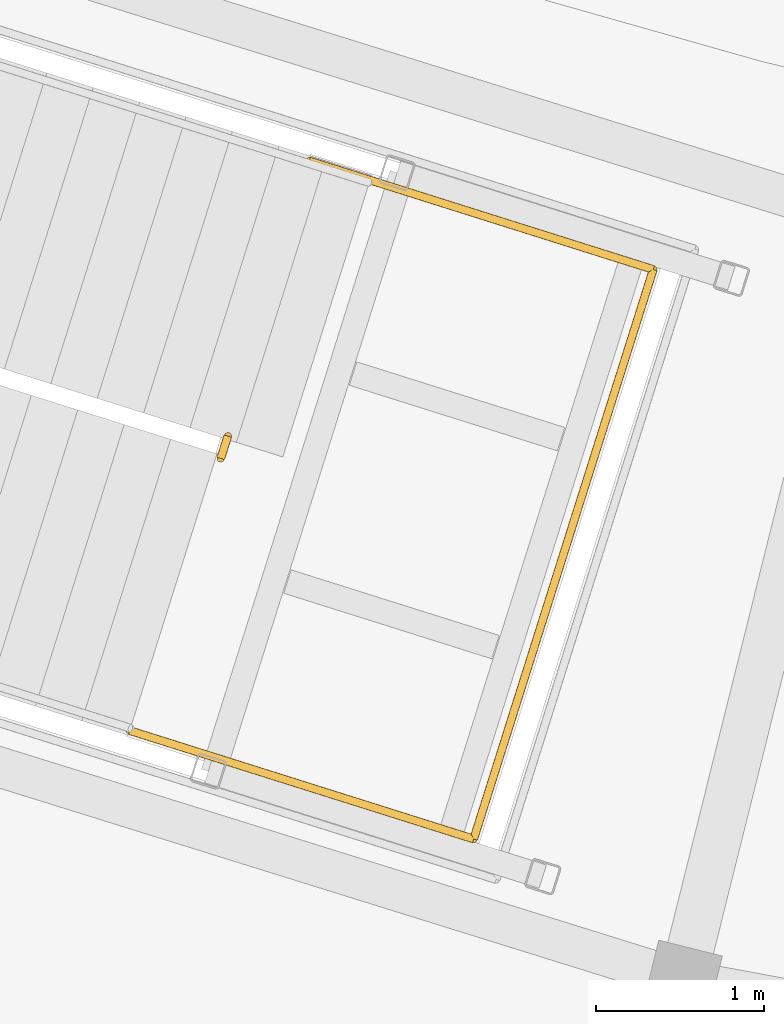
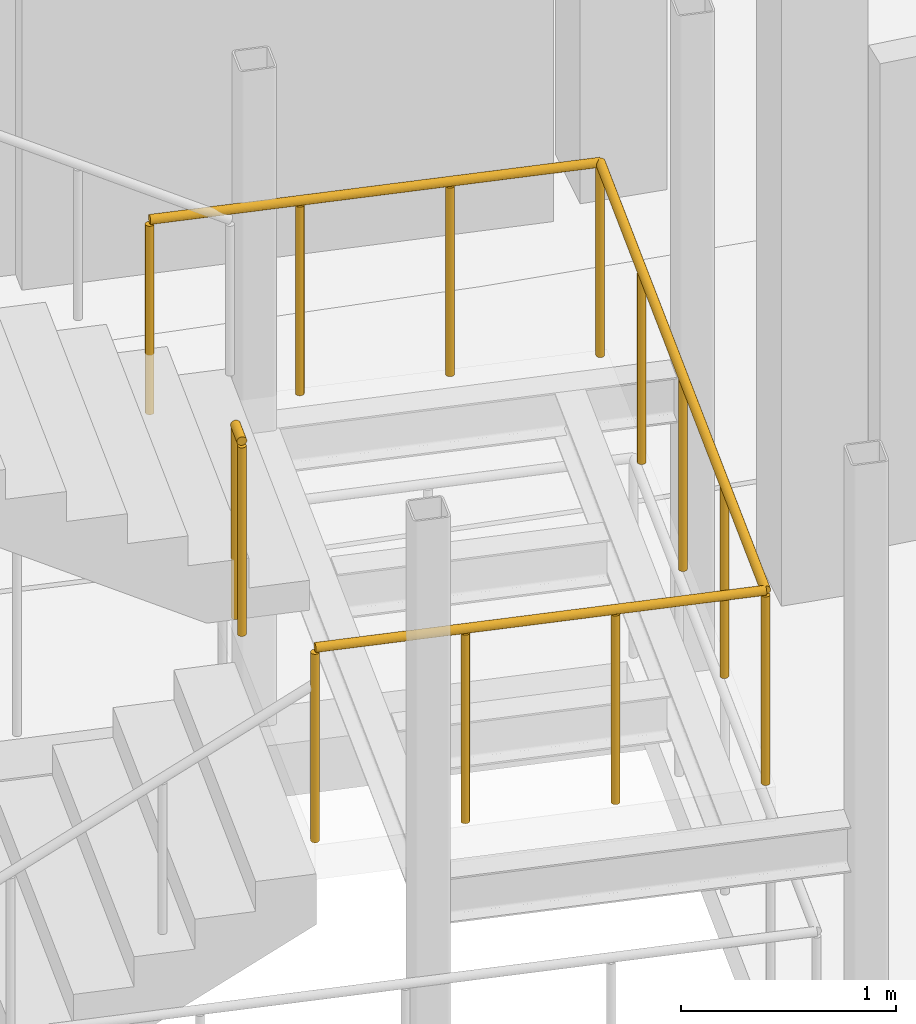
# One storey, part 59 of 66: 2 railings.
"""IFC4 building model written with IfcOpenShell, lengths in metres."""

from ifc_helpers import new_model, si_unit, direction, frame, origin, origin_2d, place, context, subcontext, project, spatial, circle, extrude, material, type_object, element, save


model = new_model("IFC4")

# Units and contexts
model_context = context("Model", 3, precision=1e-05, world=origin(), true_north=direction((0.0, 1.0)))
body_context = subcontext(model_context, "Body", "Model", "MODEL_VIEW")
ifc_project = project(units=[si_unit("LENGTHUNIT", "METRE"), si_unit("AREAUNIT", "SQUARE_METRE"), si_unit("VOLUMEUNIT", "CUBIC_METRE"), si_unit("PLANEANGLEUNIT", "RADIAN"), si_unit("MASSUNIT", "GRAM", prefix="KILO")], contexts=[model_context])

# Site, building, storey
site_placement = place(None, origin())
site = spatial("IfcSite", under=ifc_project, at=site_placement, CompositionType="ELEMENT")
building_placement = place(site_placement, origin())
building = spatial("IfcBuilding", under=site, at=building_placement, Name="Caldaven Crescent School", CompositionType="ELEMENT")
storey_placement = place(building_placement, frame((0.0, 0.0, 8.159912109375)))
storey = spatial("IfcBuildingStorey", under=building, at=storey_placement, Name="L02", CompositionType="ELEMENT", Elevation=8.159912109375)

# Railings
ifc_material = material(Name="Powder-coated tubular steel balustrade ASTM A572 Grade 50", Category="steel")
railing_type = type_object("IfcRailingType", Name="RAL-INT2", PredefinedType="BALUSTRADE", material=ifc_material)
railing_1_placement = place(storey_placement, frame((68.65234375, 33.107177734375, 1.8701171875)))
element("IfcRailing", 1, at=railing_1_placement, inside=storey, type_object=railing_type, Name="GD-LND-ST2-L02", PredefinedType="BALUSTRADE", context=body_context, shape_type="SweptSolid", body=[
    extrude(circle(Radius=0.02392578125, at=origin_2d()), frame((0.0, 0.0, 1.09619140625), z_axis=(0.953723285408, -0.300685707794, 0.0), x_axis=(0.300685707794, 0.953723285408, 0.0)), (0.0, 0.0, 1.0), 2.150146484375),
    extrude(circle(Radius=0.02392578125, at=origin_2d()), frame((2.050537109375, -0.646484375, 1.09619140625), z_axis=(0.300671803588, 0.953727668953, 0.0), x_axis=(-0.953727668953, 0.300671803588, 0.0)), (0.0, 0.0, 1.0), 3.559814453125),
    extrude(circle(Radius=0.02392578125, at=origin_2d()), frame((3.120849609375, 2.74853515625, 1.09619140625), z_axis=(-0.953680442686, 0.300821563786, 0.0), x_axis=(-0.300821563786, -0.953680442686, 0.0)), (0.0, 0.0, 1.0), 2.14990234375),
    extrude(circle(Radius=0.02099609375, at=origin_2d()), origin(), (0.0, 0.0, 1.0), 1.072021484375),
    extrude(circle(Radius=0.02099609375, at=origin_2d()), frame((0.68359375, -0.215576171875, 0.0)), (0.0, 0.0, 1.0), 1.072021484375),
    extrude(circle(Radius=0.02099609375, at=origin_2d()), frame((1.366943359375, -0.430908203125, 0.0)), (0.0, 0.0, 1.0), 1.072021484375),
    extrude(circle(Radius=0.02099609375, at=origin_2d()), frame((2.050537109375, -0.646484375, 0.0)), (0.0, 0.0, 1.0), 1.072021484375),
    extrude(circle(Radius=0.02099609375, at=origin_2d()), frame((2.318115234375, 0.2021484375, 0.0)), (0.0, 0.0, 1.0), 1.072021484375),
    extrude(circle(Radius=0.02099609375, at=origin_2d()), frame((2.585693359375, 1.051025390625, 0.0)), (0.0, 0.0, 1.0), 1.072021484375),
    extrude(circle(Radius=0.02099609375, at=origin_2d()), frame((2.853271484375, 1.89990234375, 0.0)), (0.0, 0.0, 1.0), 1.072021484375),
    extrude(circle(Radius=0.02099609375, at=origin_2d()), frame((3.120849609375, 2.74853515625, 0.0)), (0.0, 0.0, 1.0), 1.072021484375),
    extrude(circle(Radius=0.02099609375, at=origin_2d()), frame((2.4375, 2.964111328125, 0.0)), (0.0, 0.0, 1.0), 1.072021484375),
    extrude(circle(Radius=0.02099609375, at=origin_2d()), frame((1.75390625, 3.1796875, 0.0)), (0.0, 0.0, 1.0), 1.072021484375),
    extrude(circle(Radius=0.02099609375, at=origin_2d()), frame((1.070556640625, 3.395263671875, 0.0)), (0.0, 0.0, 1.0), 1.072021484375),
])
railing_2_placement = place(storey_placement, frame((69.195068359375, 34.72900390625, 1.8701171875)))
element("IfcRailing", 2, at=railing_2_placement, inside=storey, type_object=railing_type, Name="GD-SLT-ST2-L02", PredefinedType="BALUSTRADE", context=body_context, shape_type="SweptSolid", body=[
    extrude(circle(Radius=0.02392578125, at=origin_2d()), frame((0.0, 0.0, 1.09619140625), z_axis=(0.301548442872, 0.953450856941, 0.0), x_axis=(-0.953450856941, 0.301548442872, 0.0)), (0.0, 0.0, 1.0), 0.14013671875),
    extrude(circle(Radius=0.02099609375, at=origin_2d()), origin(), (0.0, 0.0, 1.0), 1.072021484375),
    extrude(circle(Radius=0.02099609375, at=origin_2d()), frame((0.042236328125, 0.133544921875, 0.0)), (0.0, 0.0, 1.0), 1.072021484375),
])

save(model, "model.ifc")
